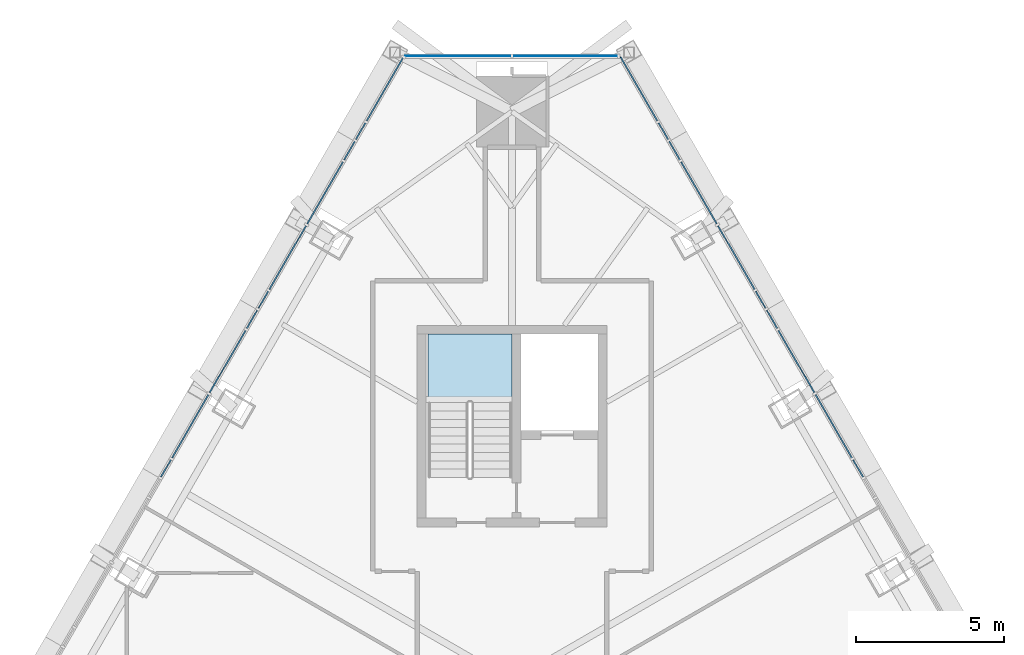
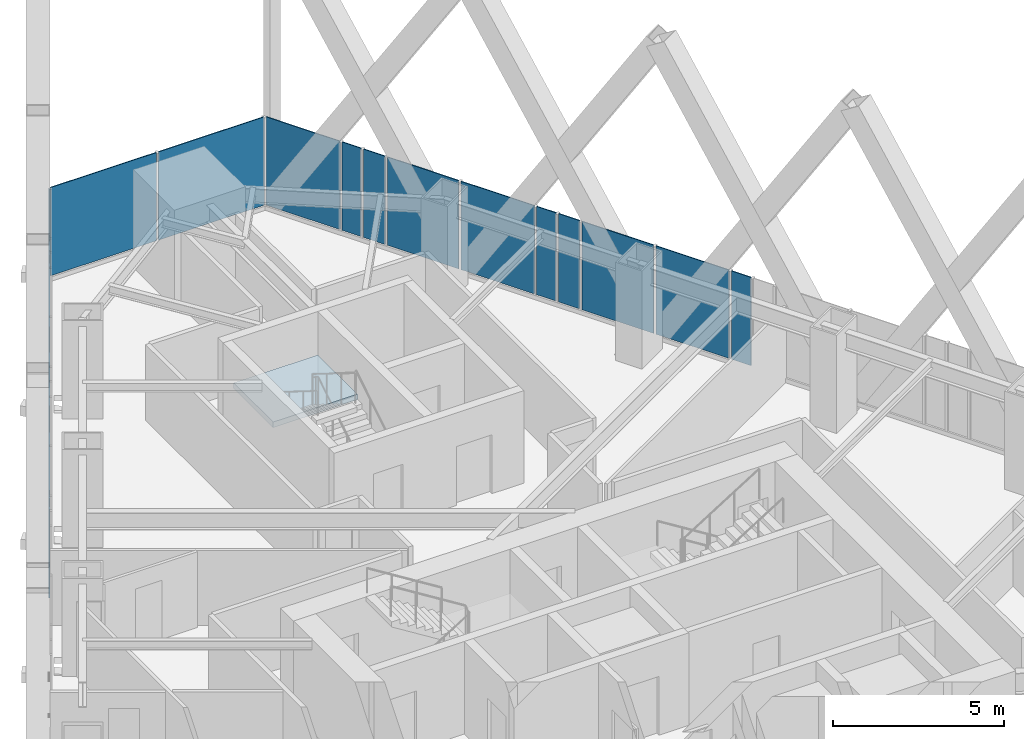
# One storey, part 17 of 25: 22 plates, 1 slab, 4 elements without a shape of their own.
"""IFC4 building model written with IfcOpenShell, lengths in metres."""

from ifc_helpers import new_model, si_unit, direction, frame, origin, place, context, subcontext, project, spatial, polyline, outline, extrude, material, layer, layer_set, type_object, element, aggregate, save


model = new_model("IFC4")

# Units and contexts
model_context = context("Model", 3, precision=1e-05, world=origin(), true_north=direction((0.0, 1.0)))
body_context = subcontext(model_context, "Body", "Model", "MODEL_VIEW")
ifc_project = project(units=[si_unit("LENGTHUNIT", "METRE"), si_unit("AREAUNIT", "SQUARE_METRE"), si_unit("VOLUMEUNIT", "CUBIC_METRE"), si_unit("PLANEANGLEUNIT", "RADIAN"), si_unit("MASSUNIT", "GRAM", prefix="KILO")], contexts=[model_context])

# Site, building, storey
site_placement = place(None, origin())
site = spatial("IfcSite", under=ifc_project, at=site_placement, CompositionType="ELEMENT")
building_placement = place(site_placement, origin())
building = spatial("IfcBuilding", under=site, at=building_placement, Name="Firuza Gate Tower and Library", CompositionType="ELEMENT")
storey_placement = place(building_placement, frame((0.0, 0.0, 270.60009765625)))
storey = spatial("IfcBuildingStorey", under=building, at=storey_placement, Name="L64", CompositionType="ELEMENT", Elevation=270.60009765625)

# Curtain wall, plates
ifc_material_1 = material(Name="Aluminium 6063-T6", Category="aluminium")
ifc_layer_1 = layer(ifc_material_1, 0.14990234375)
ifc_layer_set_1 = layer_set([ifc_layer_1], Name="Corner curtain wall, chamfers")
curtain_wall_type_1 = type_object("IfcCurtainWallType", Name="Corner curtain wall, chamfers", PredefinedType="NOTDEFINED", material=ifc_layer_set_1)
placement = place(storey_placement, origin())
curtain_wall_1 = element("IfcCurtainWall", 1, at=placement, inside=storey, type_object=curtain_wall_type_1, Name="CW4 L64 N corner", PredefinedType="NOTDEFINED")
ifc_material_2 = material(Name="Fritted glass", Category="glass")
ifc_layer_2 = layer(ifc_material_2, 0.030029296875)
ifc_layer_set_2 = layer_set([ifc_layer_2], Name="Fritted glass unit, corners")
plate_type_1 = type_object("IfcPlateType", Name="Fritted glass unit, corners", PredefinedType="CURTAIN_PANEL", material=ifc_layer_set_2)
plate_1_placement = place(storey_placement, frame((78.603271484375, 103.701904296875, 0.14990234375), z_axis=(0.0, 1.0, 0.0), x_axis=(-1.0, 0.0, 0.0)))
plate_1 = element("IfcPlate", 2, at=plate_1_placement, type_object=plate_type_1, Name="Glass unit", PredefinedType="CURTAIN_PANEL", context=body_context, shape_type="SweptSolid", body=[
    extrude(outline(polyline([(0.0, 0.0), (3.563232421875, 0.0), (3.563232421875, 3.14990234375), (0.0, 3.14990234375), (0.0, 0.0)])), origin(), (0.0, 0.0, -1.0), 0.030029296875),
])
plate_2_placement = place(storey_placement, frame((74.9599609375, 103.701904296875, 0.14990234375), z_axis=(0.0, 1.0, 0.0), x_axis=(-1.0, 0.0, 0.0)))
plate_2 = element("IfcPlate", 3, at=plate_2_placement, type_object=plate_type_1, Name="Glass unit", PredefinedType="CURTAIN_PANEL", context=body_context, shape_type="SweptSolid", body=[
    extrude(outline(polyline([(0.0, 0.0), (3.563232421875, 0.0), (3.563232421875, 3.14990234375), (0.0, 3.14990234375), (0.0, 0.0)])), origin(), (0.0, 0.0, -1.0), 0.030029296875),
])
aggregate(curtain_wall_1, [plate_1, plate_2])

ifc_material_3 = material(Name="Aluminium 6063-T6", Category="aluminium")
ifc_layer_3 = layer(ifc_material_3, 0.14990234375)
ifc_layer_set_3 = layer_set([ifc_layer_3], Name="Unitised curtain wall, residences")
curtain_wall_type_2 = type_object("IfcCurtainWallType", Name="Unitised curtain wall, residences", PredefinedType="NOTDEFINED", material=ifc_layer_set_3)
curtain_wall_2 = element("IfcCurtainWall", 4, at=placement, inside=storey, type_object=curtain_wall_type_2, Name="CW3 L64 E face", PredefinedType="NOTDEFINED")
ifc_material_4 = material(Name="Fritted glass", Category="glass")
ifc_layer_4 = layer(ifc_material_4, 0.030029296875)
ifc_layer_set_4 = layer_set([ifc_layer_4], Name="Fritted glass unit, residences")
plate_type_2 = type_object("IfcPlateType", Name="Fritted glass unit, residences", PredefinedType="CURTAIN_PANEL", material=ifc_layer_set_4)
plate_3_placement = place(storey_placement, frame((86.8583984375, 89.488037109375, 0.14990234375), z_axis=(0.866033651025, 0.499985715088, 0.0), x_axis=(-0.499985715088, 0.866033651025, 0.0)))
plate_3 = element("IfcPlate", 5, at=plate_3_placement, type_object=plate_type_2, Name="Glass unit", PredefinedType="CURTAIN_PANEL", context=body_context, shape_type="SweptSolid", body=[
    extrude(outline(polyline([(0.0, 0.0), (0.6689644246956121, 0.0), (0.6689644246956121, 3.14990234375), (0.0, 3.14990234375), (0.0, 0.0)])), origin(), (0.0, 0.0, -1.0), 0.030029296875),
])
plate_4_placement = place(storey_placement, frame((83.962646484375, 94.50341796875, 0.14990234375), z_axis=(0.866064687971, 0.499931951619, 0.0), x_axis=(-0.499931951619, 0.866064687971, 0.0)))
plate_4 = element("IfcPlate", 6, at=plate_4_placement, type_object=plate_type_2, Name="Glass unit", PredefinedType="CURTAIN_PANEL", context=body_context, shape_type="SweptSolid", body=[
    extrude(outline(polyline([(0.0, 0.0), (0.7061507923360819, 0.0), (0.7061507923360819, 3.14990234375), (0.0, 3.14990234375), (0.0, 0.0)])), origin(), (0.0, 0.0, -1.0), 0.030029296875),
])
plate_5_placement = place(storey_placement, frame((83.569580078125, 95.184326171875, 0.14990234375), z_axis=(0.866061796884, 0.499936960004, 0.0), x_axis=(-0.499936960004, 0.866061796884, 0.0)))
plate_5 = element("IfcPlate", 7, at=plate_5_placement, type_object=plate_type_2, Name="Glass unit", PredefinedType="CURTAIN_PANEL", context=body_context, shape_type="SweptSolid", body=[
    extrude(outline(polyline([(0.0, 0.0), (0.6568210932483207, 0.0), (0.6568210932483207, 3.1499023437499996), (0.0, 3.1499023437499996), (0.0, 0.0)])), origin(), (0.0, 0.0, -1.0), 0.030029296875),
])
plate_6_placement = place(storey_placement, frame((80.679931640625, 100.189208984375, 0.14990234375), z_axis=(0.866123353737, 0.499830307316, 0.0), x_axis=(-0.499830307316, 0.866123353737, 0.0)))
plate_6 = element("IfcPlate", 8, at=plate_6_placement, type_object=plate_type_2, Name="Glass unit", PredefinedType="CURTAIN_PANEL", context=body_context, shape_type="SweptSolid", body=[
    extrude(outline(polyline([(0.0, 0.0), (0.718505569027613, 0.0), (0.718505569027613, 3.14990234375), (0.0, 3.14990234375), (0.0, 0.0)])), origin(), (0.0, 0.0, -1.0), 0.030029296875),
])
plate_7_placement = place(storey_placement, frame((80.28076171875, 100.880859375, 0.14990234375), z_axis=(0.865996321171, 0.50005036918, 0.0), x_axis=(-0.50005036918, 0.865996321171, 0.0)))
plate_7 = element("IfcPlate", 9, at=plate_7_placement, type_object=plate_type_2, Name="Glass unit", PredefinedType="CURTAIN_PANEL", context=body_context, shape_type="SweptSolid", body=[
    extrude(outline(polyline([(0.0, 0.0), (0.6444663275185896, 0.0), (0.6444663275185896, 3.149902343750001), (0.0, 3.149902343750001), (0.0, 0.0)])), origin(), (0.0, 0.0, -1.0), 0.030029296875),
])

curtain_wall_3 = element("IfcCurtainWall", 10, at=placement, inside=storey, type_object=curtain_wall_type_2, Name="CW3 L64 W face", PredefinedType="NOTDEFINED")
plate_8_placement = place(storey_placement, frame((70.04150390625, 101.43896484375, 0.14990234375), z_axis=(-0.865996321171, 0.50005036918, 0.0), x_axis=(-0.50005036918, -0.865996321171, 0.0)))
plate_8 = element("IfcPlate", 11, at=plate_8_placement, type_object=plate_type_2, Name="Glass unit", PredefinedType="CURTAIN_PANEL", context=body_context, shape_type="SweptSolid", body=[
    extrude(outline(polyline([(0.0, 0.0), (0.6444663275185896, 0.0), (0.6444663275185896, 3.149902343750001), (0.0, 3.149902343750001), (0.0, 0.0)])), origin(), (0.0, 0.0, -1.0), 0.030029296875),
])
plate_9_placement = place(storey_placement, frame((69.67919921875, 100.8115234375, 0.14990234375), z_axis=(-0.866123353737, 0.499830307316, 0.0), x_axis=(-0.499830307316, -0.866123353737, 0.0)))
plate_9 = element("IfcPlate", 12, at=plate_9_placement, type_object=plate_type_2, Name="Glass unit", PredefinedType="CURTAIN_PANEL", context=body_context, shape_type="SweptSolid", body=[
    extrude(outline(polyline([(0.0, 0.0), (0.718505569027613, 0.0), (0.718505569027613, 3.14990234375), (0.0, 3.14990234375), (0.0, 0.0)])), origin(), (0.0, 0.0, -1.0), 0.030029296875),
])
plate_10_placement = place(storey_placement, frame((66.7587890625, 95.753173828125, 0.14990234375), z_axis=(-0.866061796884, 0.499936960004, 0.0), x_axis=(-0.499936960004, -0.866061796884, 0.0)))
plate_10 = element("IfcPlate", 13, at=plate_10_placement, type_object=plate_type_2, Name="Glass unit", PredefinedType="CURTAIN_PANEL", context=body_context, shape_type="SweptSolid", body=[
    extrude(outline(polyline([(0.0, 0.0), (0.6568210932483207, 0.0), (0.6568210932483207, 3.1499023437499996), (0.0, 3.1499023437499996), (0.0, 0.0)])), origin(), (0.0, 0.0, -1.0), 0.030029296875),
])
plate_11_placement = place(storey_placement, frame((66.390380859375, 95.114990234375, 0.14990234375), z_axis=(-0.866064687971, 0.499931951619, 0.0), x_axis=(-0.499931951619, -0.866064687971, 0.0)))
plate_11 = element("IfcPlate", 14, at=plate_11_placement, type_object=plate_type_2, Name="Glass unit", PredefinedType="CURTAIN_PANEL", context=body_context, shape_type="SweptSolid", body=[
    extrude(outline(polyline([(0.0, 0.0), (0.7061507923360819, 0.0), (0.7061507923360819, 3.14990234375), (0.0, 3.14990234375), (0.0, 0.0)])), origin(), (0.0, 0.0, -1.0), 0.030029296875),
])
plate_12_placement = place(storey_placement, frame((63.47607421875, 90.0673828125, 0.14990234375), z_axis=(-0.866033651025, 0.499985715088, 0.0), x_axis=(-0.499985715088, -0.866033651025, 0.0)))
plate_12 = element("IfcPlate", 15, at=plate_12_placement, type_object=plate_type_2, Name="Glass unit", PredefinedType="CURTAIN_PANEL", context=body_context, shape_type="SweptSolid", body=[
    extrude(outline(polyline([(0.0, 0.0), (0.6689644246956121, 0.0), (0.6689644246956121, 3.14990234375), (0.0, 3.14990234375), (0.0, 0.0)])), origin(), (0.0, 0.0, -1.0), 0.030029296875),
])

# Plate
ifc_material_5 = material(Name="Glazed ceramic tile")
ifc_layer_5 = layer(ifc_material_5, 0.030029296875)
ifc_layer_set_5 = layer_set([ifc_layer_5], Name="Opaque ceramic panel, residences")
plate_type_3 = type_object("IfcPlateType", Name="Opaque ceramic panel, residences", PredefinedType="CURTAIN_PANEL", material=ifc_layer_set_5)
plate_13_placement = place(storey_placement, frame((86.48388671875, 90.13671875, 0.14990234375), z_axis=(0.865998803033, 0.500046071023, 0.0), x_axis=(-0.500046071023, 0.865998803033, 0.0)))
plate_13 = element("IfcPlate", 16, at=plate_13_placement, type_object=plate_type_3, Name="Opaque ceramic panel", PredefinedType="CURTAIN_PANEL", context=body_context, shape_type="SweptSolid", body=[
    extrude(outline(polyline([(0.0, 0.0), (2.459734292547889, 0.0), (2.459734292547889, 3.14990234375), (0.0, 3.14990234375), (0.0, 0.0)])), origin(), (0.0, 0.0, -1.0), 0.030029296875),
])

plate_14_placement = place(storey_placement, frame((85.214111328125, 92.336181640625, 0.14990234375), z_axis=(0.866014416983, 0.500019029215, 0.0), x_axis=(-0.500019029215, 0.866014416983, 0.0)))
plate_14 = element("IfcPlate", 17, at=plate_14_placement, type_object=plate_type_3, Name="Opaque ceramic panel", PredefinedType="CURTAIN_PANEL", context=body_context, shape_type="SweptSolid", body=[
    extrude(outline(polyline([(0.0, 0.0), (2.4227593560837724, 0.0), (2.4227593560837724, 3.14990234375), (0.0, 3.14990234375), (0.0, 0.0)])), origin(), (0.0, 0.0, -1.0), 0.030029296875),
])

plate_15_placement = place(storey_placement, frame((83.201171875, 95.822509765625, 0.14990234375), z_axis=(0.866016188482, 0.500015961032, 0.0), x_axis=(-0.500015961032, 0.866016188482, 0.0)))
plate_15 = element("IfcPlate", 18, at=plate_15_placement, type_object=plate_type_3, Name="Opaque ceramic panel", PredefinedType="CURTAIN_PANEL", context=body_context, shape_type="SweptSolid", body=[
    extrude(outline(polyline([(0.0, 0.0), (2.472089054566765, 0.0), (2.472089054566765, 3.14990234375), (0.0, 3.14990234375), (0.0, 0.0)])), origin(), (0.0, 0.0, -1.0), 0.030029296875),
])

plate_16_placement = place(storey_placement, frame((81.925048828125, 98.03271484375, 0.14990234375), z_axis=(0.866015203027, 0.500017667814, 0.0), x_axis=(-0.500017667814, 0.866015203027, 0.0)))
plate_16 = element("IfcPlate", 19, at=plate_16_placement, type_object=plate_type_3, Name="Opaque ceramic panel", PredefinedType="CURTAIN_PANEL", context=body_context, shape_type="SweptSolid", body=[
    extrude(outline(polyline([(0.0, 0.0), (2.4100710886248757, 0.0), (2.4100710886248757, 3.14990234375), (0.0, 3.14990234375), (0.0, 0.0)])), origin(), (0.0, 0.0, -1.0), 0.030029296875),
])

plate_17_placement = place(storey_placement, frame((79.91845703125, 101.508056640625, 0.14990234375), z_axis=(0.866057962423, 0.499943602543, 0.0), x_axis=(-0.499943602543, 0.866057962423, 0.0)))
plate_17 = element("IfcPlate", 20, at=plate_17_placement, type_object=plate_type_3, Name="Opaque ceramic panel", PredefinedType="CURTAIN_PANEL", context=body_context, shape_type="SweptSolid", body=[
    extrude(outline(polyline([(0.0, 0.0), (2.4846552564783577, 0.0), (2.4846552564783577, 3.14990234375), (0.0, 3.14990234375), (0.0, 0.0)])), origin(), (0.0, 0.0, -1.0), 0.030029296875),
])

aggregate(curtain_wall_2, [plate_3, plate_13, plate_14, plate_4, plate_5, plate_15, plate_16, plate_6, plate_7, plate_17])

plate_18_placement = place(storey_placement, frame((71.32373046875, 103.659912109375, 0.14990234375), z_axis=(-0.866057962423, 0.499943602543, 0.0), x_axis=(-0.499943602543, -0.866057962423, 0.0)))
plate_18 = element("IfcPlate", 21, at=plate_18_placement, type_object=plate_type_3, Name="Opaque ceramic panel", PredefinedType="CURTAIN_PANEL", context=body_context, shape_type="SweptSolid", body=[
    extrude(outline(polyline([(0.0, 0.0), (2.4846552564783577, 0.0), (2.4846552564783577, 3.14990234375), (0.0, 3.14990234375), (0.0, 0.0)])), origin(), (0.0, 0.0, -1.0), 0.030029296875),
])

plate_19_placement = place(storey_placement, frame((69.280029296875, 100.119873046875, 0.14990234375), z_axis=(-0.866015203027, 0.500017667814, 0.0), x_axis=(-0.500017667814, -0.866015203027, 0.0)))
plate_19 = element("IfcPlate", 22, at=plate_19_placement, type_object=plate_type_3, Name="Opaque ceramic panel", PredefinedType="CURTAIN_PANEL", context=body_context, shape_type="SweptSolid", body=[
    extrude(outline(polyline([(0.0, 0.0), (2.4100710886248757, 0.0), (2.4100710886248757, 3.14990234375), (0.0, 3.14990234375), (0.0, 0.0)])), origin(), (0.0, 0.0, -1.0), 0.030029296875),
])

plate_20_placement = place(storey_placement, frame((68.034912109375, 97.96337890625, 0.14990234375), z_axis=(-0.866016188482, 0.500015961032, 0.0), x_axis=(-0.500015961032, -0.866016188482, 0.0)))
plate_20 = element("IfcPlate", 23, at=plate_20_placement, type_object=plate_type_3, Name="Opaque ceramic panel", PredefinedType="CURTAIN_PANEL", context=body_context, shape_type="SweptSolid", body=[
    extrude(outline(polyline([(0.0, 0.0), (2.472089054566765, 0.0), (2.472089054566765, 3.14990234375), (0.0, 3.14990234375), (0.0, 0.0)])), origin(), (0.0, 0.0, -1.0), 0.030029296875),
])

plate_21_placement = place(storey_placement, frame((65.997314453125, 94.434326171875, 0.14990234375), z_axis=(-0.866014416983, 0.500019029215, 0.0), x_axis=(-0.500019029215, -0.866014416983, 0.0)))
plate_21 = element("IfcPlate", 24, at=plate_21_placement, type_object=plate_type_3, Name="Opaque ceramic panel", PredefinedType="CURTAIN_PANEL", context=body_context, shape_type="SweptSolid", body=[
    extrude(outline(polyline([(0.0, 0.0), (2.4227593560837724, 0.0), (2.4227593560837724, 3.14990234375), (0.0, 3.14990234375), (0.0, 0.0)])), origin(), (0.0, 0.0, -1.0), 0.030029296875),
])

plate_22_placement = place(storey_placement, frame((64.74609375, 92.266845703125, 0.14990234375), z_axis=(-0.865998803033, 0.500046071023, 0.0), x_axis=(-0.500046071023, -0.865998803033, 0.0)))
plate_22 = element("IfcPlate", 25, at=plate_22_placement, type_object=plate_type_3, Name="Opaque ceramic panel", PredefinedType="CURTAIN_PANEL", context=body_context, shape_type="SweptSolid", body=[
    extrude(outline(polyline([(0.0, 0.0), (2.459734292547889, 0.0), (2.459734292547889, 3.14990234375), (0.0, 3.14990234375), (0.0, 0.0)])), origin(), (0.0, 0.0, -1.0), 0.030029296875),
])

aggregate(curtain_wall_3, [plate_18, plate_8, plate_9, plate_19, plate_20, plate_10, plate_11, plate_21, plate_22, plate_12])

# Stair, slab
ifc_material_6 = material(Name="Concrete C35/45", Category="concrete")
stair_type = type_object("IfcStairType", Name="Exit stair ST17", PredefinedType="HALF_TURN_STAIR", material=ifc_material_6)
stair = element("IfcStair", 26, at=placement, inside=storey, type_object=stair_type, Name="L64 Stair ST3", PredefinedType="HALF_TURN_STAIR")
ifc_material_7 = material(Name="Concrete C35/45", Category="concrete")
ifc_layer_6 = layer(ifc_material_7, 0.199951171875)
ifc_layer_set_6 = layer_set([ifc_layer_6], Name="Stair landing 200")
slab_type = type_object("IfcSlabType", Name="Stair landing 200", PredefinedType="LANDING", material=ifc_layer_set_6)
slab_placement = place(storey_placement, frame((0.0, 0.0, 1.5498046875)))
slab = element("IfcSlab", 27, at=slab_placement, type_object=slab_type, Name="ST3 landing 1", PredefinedType="LANDING", context=body_context, shape_type="SweptSolid", body=[
    extrude(outline(polyline([(75.0, 91.989990234375), (75.0, 94.300048828125), (72.159912109375, 94.300048828125), (72.159912109375, 91.989990234375), (75.0, 91.989990234375)])), origin(), (0.0, 0.0, 1.0), 0.2001953125),
])
aggregate(stair, [slab])

save(model, "model.ifc")
